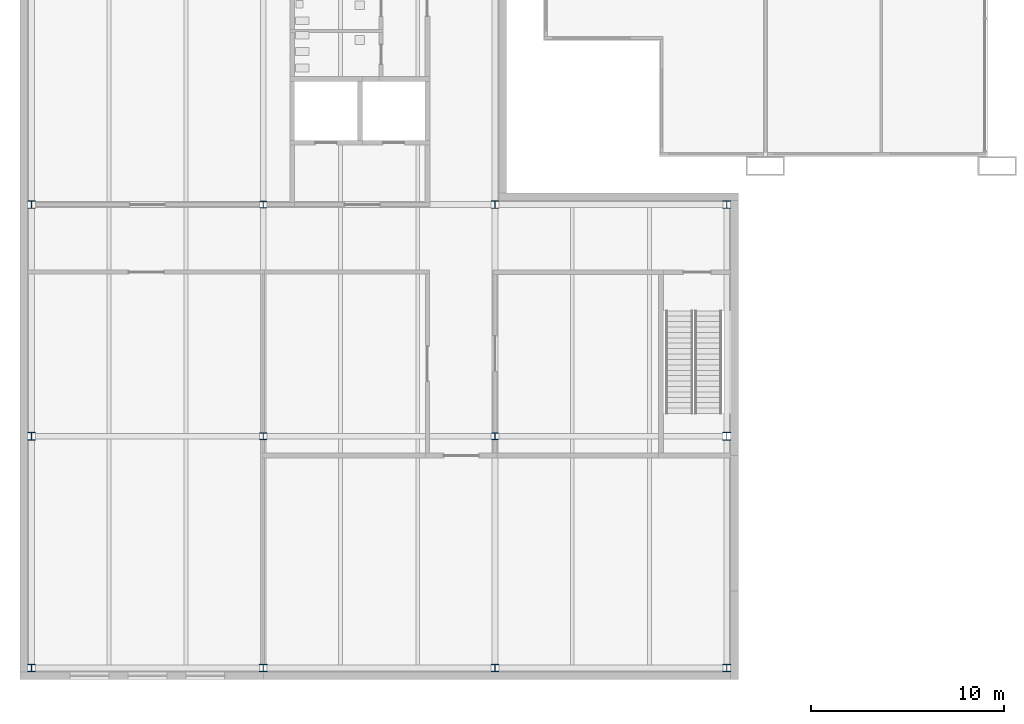
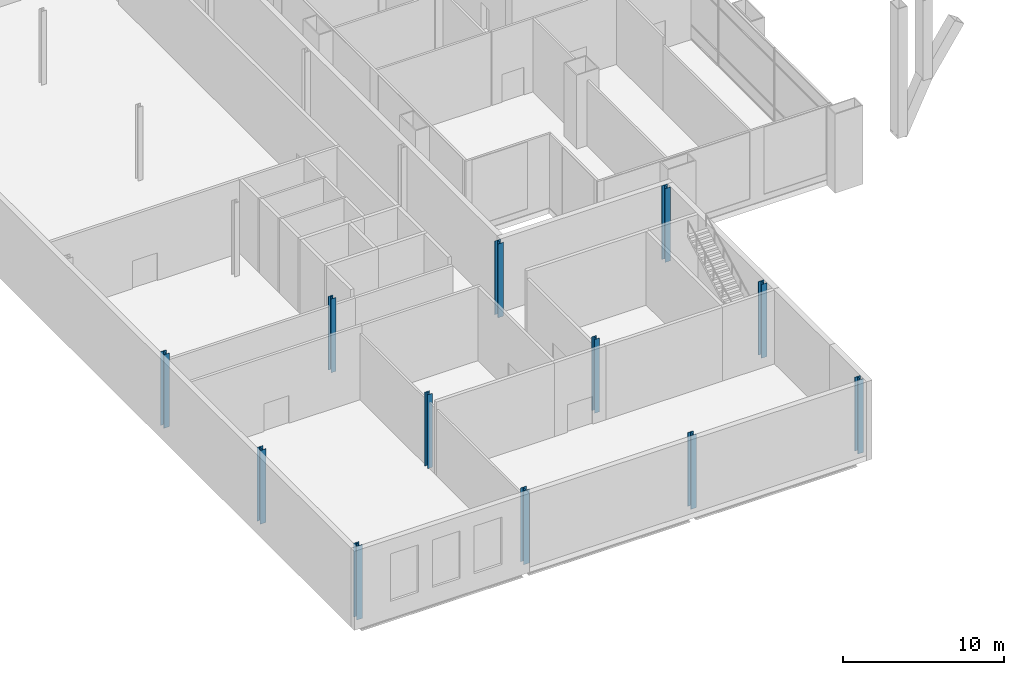
# One storey, part 1 of 25: 12 columns.
"""IFC4 building model written with IfcOpenShell, lengths in metres."""

from ifc_helpers import new_model, si_unit, direction, frame, origin, origin_2d, place, context, subcontext, project, spatial, i_section, extrude, material, material_profile, profile_set, type_object, element, save


model = new_model("IFC4")

# Units and contexts
model_context = context("Model", 3, precision=1e-05, world=origin(), true_north=direction((0.0, 1.0)))
body_context = subcontext(model_context, "Body", "Model", "MODEL_VIEW")
ifc_project = project(units=[si_unit("LENGTHUNIT", "METRE"), si_unit("AREAUNIT", "SQUARE_METRE"), si_unit("VOLUMEUNIT", "CUBIC_METRE"), si_unit("PLANEANGLEUNIT", "RADIAN"), si_unit("MASSUNIT", "GRAM", prefix="KILO")], contexts=[model_context])

# Site, building, storey
site_placement = place(None, origin())
site = spatial("IfcSite", under=ifc_project, at=site_placement, CompositionType="ELEMENT")
building_placement = place(site_placement, origin())
building = spatial("IfcBuilding", under=site, at=building_placement, Name="Kitamizu Gate Tower and Museum", CompositionType="ELEMENT")
storey_placement = place(building_placement, frame((0.0, 0.0, 12.0)))
storey = spatial("IfcBuildingStorey", under=building, at=storey_placement, Name="L02", CompositionType="ELEMENT", Elevation=12.0)

# Columns
ifc_material_1 = material(Name="Steel SS400", Category="steel")
ifc_material_profile_1 = material_profile(ifc_material_1, i_section(OverallWidth=0.35009765625, OverallDepth=0.35009765625, WebThickness=0.011962890625, FlangeThickness=0.01904296875, FilletRadius=0.012939453125, at=origin_2d()), Name="H-350x350x12x19")
ifc_profile_set_1 = profile_set([ifc_material_profile_1], Name="Steel SS400")
column_type_1 = type_object("IfcColumnType", Name="Museum column H 350x350x12x19", PredefinedType="COLUMN", material=ifc_profile_set_1)
for number, where, z_axis, x_axis, name in (
    (1, (-14.0, -14.0, 0.0), (0.0, 0.0, 1.0), (1.0, 0.0, 0.0), "Column M2MB"),
    (2, (-14.0, -2.0, 0.0), (0.0, 0.0, 1.0), (1.0, 0.0, 0.0), "Column M2MC"),
    (3, (-2.0, -14.0, 0.0), (0.0, 0.0, 1.0), (1.0, 0.0, 0.0), "Column M3MB"),
):
    element("IfcColumn", number, at=place(storey_placement, frame(where, z_axis=z_axis, x_axis=x_axis)), inside=storey, type_object=column_type_1, Name=name, PredefinedType="COLUMN", context=body_context, shape_type="SweptSolid", body=[
        extrude(i_section(OverallWidth=0.35009765625, OverallDepth=0.35009765625, WebThickness=0.011962890625, FlangeThickness=0.01904296875, FilletRadius=0.012939453125, at=origin_2d()), origin(), (0.0, 0.0, 1.0), 5.60009765625),
    ])
ifc_material_2 = material(Name="Steel SS400", Category="steel")
ifc_material_profile_2 = material_profile(ifc_material_2, i_section(OverallWidth=0.39990234375, OverallDepth=0.39990234375, WebThickness=0.012939453125, FlangeThickness=0.02099609375, FilletRadius=0.02197265625, at=origin_2d()), Name="H-400x400x13x21")
ifc_profile_set_2 = profile_set([ifc_material_profile_2], Name="Steel SS400")
column_type_2 = type_object("IfcColumnType", Name="Museum perimeter column H 400x400x13x21", PredefinedType="COLUMN", material=ifc_profile_set_2)
for number, where, z_axis, x_axis, name in (
    (4, (-26.0, -26.0, 0.0), (0.0, 0.0, 1.0), (1.0, 0.0, 0.0), "Column M1MA"),
    (5, (-26.0, -14.0, 0.0), (0.0, 0.0, 1.0), (1.0, 0.0, 0.0), "Column M1MB"),
    (6, (-26.0, -2.0, 0.0), (0.0, 0.0, 1.0), (1.0, 0.0, 0.0), "Column M1MC"),
    (7, (-14.0, -26.0, 0.0), (0.0, 0.0, 1.0), (1.0, 0.0, 0.0), "Column M2MA"),
    (8, (-2.0, -26.0, 0.0), (0.0, 0.0, 1.0), (1.0, 0.0, 0.0), "Column M3MA"),
    (9, (-2.0, -2.0, 0.0), (0.0, 0.0, 1.0), (1.0, 0.0, 0.0), "Column M3MC"),
    (10, (10.0, -26.0, 0.0), (0.0, 0.0, 1.0), (1.0, 0.0, 0.0), "Column M4MA"),
    (11, (10.0, -14.0, 0.0), (0.0, 0.0, 1.0), (1.0, 0.0, 0.0), "Column M4MB"),
    (12, (10.0, -2.0, 0.0), (0.0, 0.0, 1.0), (1.0, 0.0, 0.0), "Column M4MC"),
):
    element("IfcColumn", number, at=place(storey_placement, frame(where, z_axis=z_axis, x_axis=x_axis)), inside=storey, type_object=column_type_2, Name=name, PredefinedType="COLUMN", context=body_context, shape_type="SweptSolid", body=[
        extrude(i_section(OverallWidth=0.39990234375, OverallDepth=0.39990234375, WebThickness=0.012939453125, FlangeThickness=0.02099609375, FilletRadius=0.02197265625, at=origin_2d()), origin(), (0.0, 0.0, 1.0), 5.60009765625),
    ])

save(model, "model.ifc")
